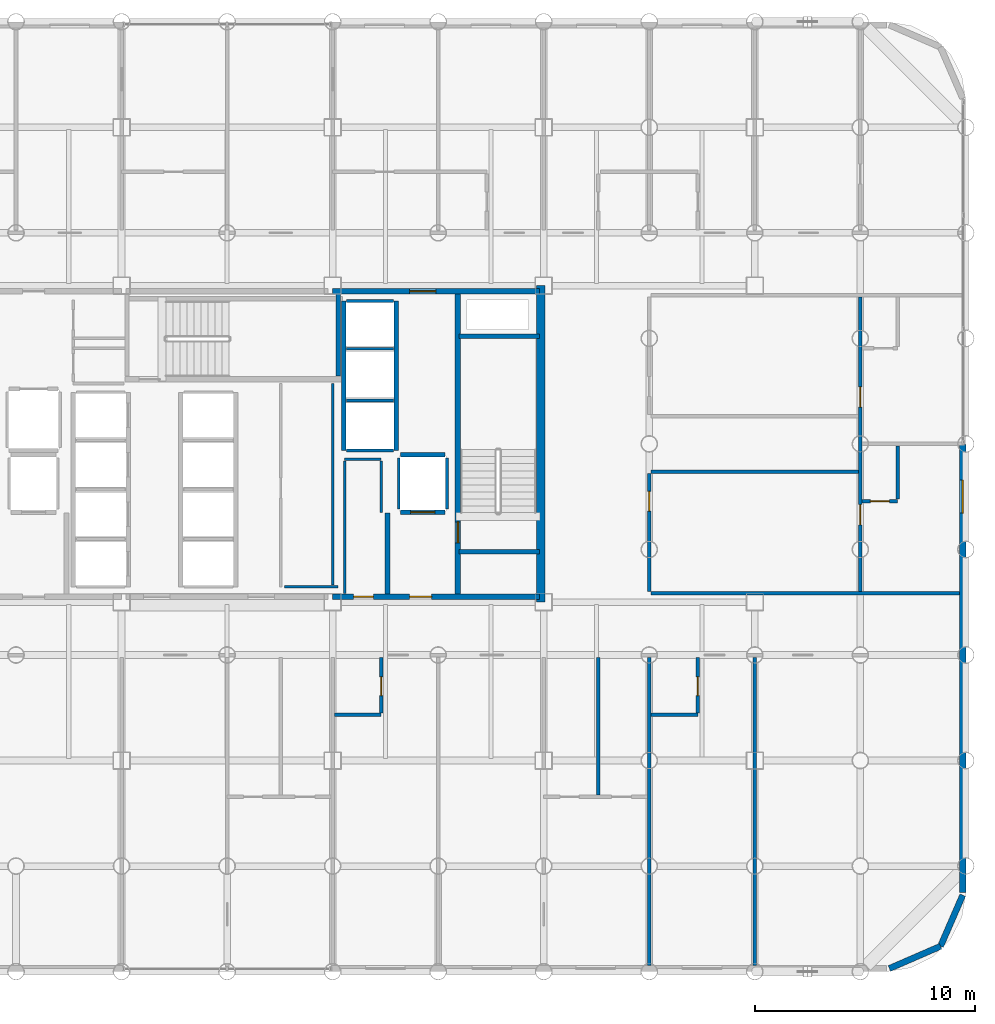
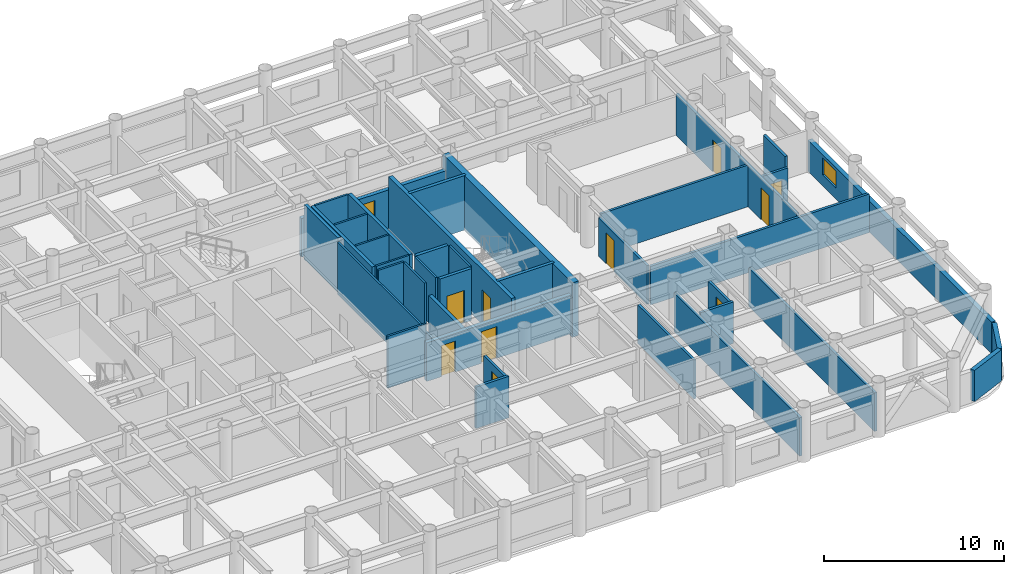
# One storey, part 17 of 20: 39 walls, 11 doors, 1 window, 12 openings.
"""IFC4 building model written with IfcOpenShell, lengths in metres."""

from ifc_helpers import new_model, si_unit, direction, frame, frame_2d, origin, place, context, subcontext, project, spatial, rectangle, extrude, material, layer, layer_set, type_object, element, fill, save


model = new_model("IFC4")

# Units and contexts
model_context = context("Model", 3, precision=1e-05, world=origin(), true_north=direction((0.0, 1.0)))
body_context = subcontext(model_context, "Body", "Model", "MODEL_VIEW")
ifc_project = project(units=[si_unit("LENGTHUNIT", "METRE"), si_unit("AREAUNIT", "SQUARE_METRE"), si_unit("VOLUMEUNIT", "CUBIC_METRE"), si_unit("PLANEANGLEUNIT", "RADIAN"), si_unit("MASSUNIT", "GRAM", prefix="KILO")], contexts=[model_context])

# Site, building, storey
site_placement = place(None, origin())
site = spatial("IfcSite", under=ifc_project, at=site_placement, CompositionType="ELEMENT")
building_placement = place(site_placement, origin())
building = spatial("IfcBuilding", under=site, at=building_placement, Name="Kallvorn Hotel Tower", CompositionType="ELEMENT")
storey_placement = place(building_placement, frame((0.0, 0.0, 70.699951171875)))
storey = spatial("IfcBuildingStorey", under=building, at=storey_placement, Name="L16", CompositionType="ELEMENT", Elevation=70.699951171875)

# Walls
ifc_material_1 = material(Name="Concrete C50/60", Category="concrete")
ifc_layer_1 = layer(ifc_material_1, 0.39990234375)
ifc_layer_set_1 = layer_set([ifc_layer_1], Name="WL_CORE_400")
wall_type_1 = type_object("IfcWallType", Name="WL_CORE_400", PredefinedType="SHEAR", material=ifc_layer_set_1)
wall_1_placement = place(storey_placement, frame((14.264892578125, -7.199951171875, -0.179931640625), z_axis=(0.0, 0.0, 1.0), x_axis=(0.0, 1.0, 0.0)))
element("IfcWall", 1, at=wall_1_placement, inside=storey, type_object=wall_type_1, Name="L16 Core East Shear Wall", PredefinedType="SHEAR", context=body_context, shape_type="SweptSolid", body=[
    extrude(rectangle(XDim=14.39990234375, YDim=0.39990234375, at=frame_2d((7.199951171875, 0.0))), origin(), (0.0, 0.0, 1.0), 3.699951171875),
])
ifc_material_2 = material(Name="Fire-rated double-layer acoustic gypsum drywall EI 60")
ifc_layer_2 = layer(ifc_material_2, 0.159912109375)
ifc_layer_set_2 = layer_set([ifc_layer_2], Name="WL_DEMISE_160")
wall_type_2 = type_object("IfcWallType", Name="WL_DEMISE_160", PredefinedType="PARTITIONING", material=ifc_layer_set_2)
wall_2_placement = place(storey_placement, frame((4.8798828125, -12.320068359375, 0.0), z_axis=(0.0, 0.0, 1.0), x_axis=(1.0, 0.0, 0.0)))
element("IfcWall", 2, at=wall_2_placement, inside=storey, type_object=wall_type_2, Name="L16 Suite 1606 Deluxe King Room Partition", PredefinedType="PARTITIONING", context=body_context, shape_type="SweptSolid", body=[
    extrude(rectangle(XDim=2.130126953125, YDim=0.159912109375, at=frame_2d((1.06494140625, 0.0))), origin(), (0.0, 0.0, 1.0), 2.820068359375),
])
wall_3_placement = place(storey_placement, frame((19.280029296875, -12.320068359375, 0.0), z_axis=(0.0, 0.0, 1.0), x_axis=(1.0, 0.0, 0.0)))
element("IfcWall", 3, at=wall_3_placement, inside=storey, type_object=wall_type_2, Name="L16 Suite 1608 Superior Twin Room Partition", PredefinedType="PARTITIONING", context=body_context, shape_type="SweptSolid", body=[
    extrude(rectangle(XDim=2.1298828125, YDim=0.159912109375, at=frame_2d((1.06494140625, 0.0))), origin(), (0.0, 0.0, 1.0), 2.820068359375),
])
wall_4_placement = place(storey_placement, frame((19.280029296875, -6.800048828125, 0.0), z_axis=(0.0, 0.0, 1.0), x_axis=(1.0, 0.0, 0.0)))
element("IfcWall", 4, at=wall_4_placement, inside=storey, type_object=wall_type_2, Name="L16 Suite 1603 E Loggia King Room Partition", PredefinedType="PARTITIONING", context=body_context, shape_type="SweptSolid", body=[
    extrude(rectangle(XDim=14.030029296875, YDim=0.159912109375, at=frame_2d((7.01513671875, 0.0))), origin(), (0.0, 0.0, 1.0), 2.6201171875),
])

# Wall, opening, door
wall_5_placement = place(storey_placement, frame((28.8798828125, -2.60009765625, 0.0), z_axis=(0.0, 0.0, 1.0), x_axis=(1.0, 0.0, 0.0)))
wall_5 = element("IfcWall", 5, at=wall_5_placement, inside=storey, type_object=wall_type_2, Name="L16 Suite 1603 E Loggia King Room Partition", PredefinedType="PARTITIONING", context=body_context, shape_type="SweptSolid", body=[
    extrude(rectangle(XDim=1.6201171875, YDim=0.159912109375, at=frame_2d((0.81005859375, 0.0))), origin(), (0.0, 0.0, 1.0), 2.820068359375),
])
opening_1_placement = place(wall_5_placement, frame((0.3798828125, 0.0, 0.0)))
opening_1 = element("IfcOpeningElement", 6, at=opening_1_placement, cuts=wall_5, Name="Opening BD-I", PredefinedType="OPENING", context=body_context, shape_type="SweptSolid", body=[
    extrude(rectangle(XDim=0.860107421875, YDim=2.10009765625, at=frame_2d((0.43017578125, 1.050048828125))), frame((0.0, 0.094970703125, 0.0), z_axis=(0.0, -1.0, 0.0), x_axis=(1.0, 0.0, 0.0)), (0.0, 0.0, 1.0), 0.18994140625),
])
ifc_material_3 = material(Name="Solid-core walnut veneer fire-rated timber door leaf", Category="wood")
door_type_1 = type_object("IfcDoorType", Name="DR_BATH_860x2100", OperationType="NOTDEFINED", PredefinedType="DOOR", material=ifc_material_3)
door_1_placement = place(opening_1_placement, origin())
door_1 = element("IfcDoor", 7, at=door_1_placement, inside=storey, type_object=door_type_1, Name="L16 Suite 1603 En-Suite Bathroom Door", OperationType="SINGLE_SWING_LEFT", OverallHeight=2.10009765625, OverallWidth=0.860107421875, PredefinedType="DOOR", context=body_context, shape_type="SweptSolid", body=[
    extrude(rectangle(XDim=0.860107421875, YDim=2.10009765625, at=frame_2d((0.43017578125, 1.050048828125))), frame((0.0, 0.02490234375, 0.0), z_axis=(0.0, -1.0, 0.0), x_axis=(1.0, 0.0, 0.0)), (0.0, 0.0, 1.0), 0.050048828125),
])
fill(opening_1, door_1)

wall_6_placement = place(storey_placement, frame((7.006591796875, -12.235107421875, 0.0), z_axis=(0.0, 0.0, 1.0), x_axis=(0.0, 1.0, 0.0)))
wall_6 = element("IfcWall", 8, at=wall_6_placement, inside=storey, type_object=wall_type_2, Name="L16 Suite 1606 Deluxe King Room Partition", PredefinedType="PARTITIONING", context=body_context, shape_type="SweptSolid", body=[
    extrude(rectangle(XDim=2.51513671875, YDim=0.159912109375, at=frame_2d((1.257568359375, 0.0))), origin(), (0.0, 0.0, 1.0), 2.6201171875),
])
opening_2_placement = place(wall_6_placement, frame((0.784912109375, 0.0, 0.0)))
opening_2 = element("IfcOpeningElement", 9, at=opening_2_placement, cuts=wall_6, Name="Opening BD-I", PredefinedType="OPENING", context=body_context, shape_type="SweptSolid", body=[
    extrude(rectangle(XDim=0.860107421875, YDim=2.10009765625, at=frame_2d((0.43017578125, 1.050048828125))), frame((0.0, 0.094970703125, 0.0), z_axis=(0.0, -1.0, 0.0), x_axis=(1.0, 0.0, 0.0)), (0.0, 0.0, 1.0), 0.18994140625),
])
door_2_placement = place(opening_2_placement, origin())
door_2 = element("IfcDoor", 10, at=door_2_placement, inside=storey, type_object=door_type_1, Name="L16 Suite 1606 En-Suite Bathroom Door", OperationType="SINGLE_SWING_RIGHT", OverallHeight=2.10009765625, OverallWidth=0.860107421875, PredefinedType="DOOR", context=body_context, shape_type="SweptSolid", body=[
    extrude(rectangle(XDim=0.860107421875, YDim=2.10009765625, at=frame_2d((0.43017578125, 1.050048828125))), frame((0.0, 0.02490234375, 0.0), z_axis=(0.0, -1.0, 0.0), x_axis=(1.0, 0.0, 0.0)), (0.0, 0.0, 1.0), 0.050048828125),
])
fill(opening_2, door_2)

# Wall
wall_7_placement = place(storey_placement, frame((19.199951171875, -23.7099609375, 0.0), z_axis=(0.0, 0.0, 1.0), x_axis=(0.0, 1.0, 0.0)))
element("IfcWall", 11, at=wall_7_placement, inside=storey, type_object=wall_type_2, Name="L16 Suite 1607 Executive Bedroom Partition", PredefinedType="PARTITIONING", context=body_context, shape_type="SweptSolid", body=[
    extrude(rectangle(XDim=13.989990234375, YDim=0.159912109375, at=frame_2d((6.9951171875, 0.0))), origin(), (0.0, 0.0, 1.0), 2.6201171875),
])

# Wall, opening, door
wall_8_placement = place(storey_placement, frame((21.409912109375, -12.235107421875, 0.0), z_axis=(0.0, 0.0, 1.0), x_axis=(0.0, 1.0, 0.0)))
wall_8 = element("IfcWall", 12, at=wall_8_placement, inside=storey, type_object=wall_type_2, Name="L16 Suite 1608 Superior Twin Room Partition", PredefinedType="PARTITIONING", context=body_context, shape_type="SweptSolid", body=[
    extrude(rectangle(XDim=2.51513671875, YDim=0.159912109375, at=frame_2d((1.257568359375, 0.0))), origin(), (0.0, 0.0, 1.0), 2.6201171875),
])
opening_3_placement = place(wall_8_placement, frame((0.784912109375, 0.0, 0.0)))
opening_3 = element("IfcOpeningElement", 13, at=opening_3_placement, cuts=wall_8, Name="Opening BD-I", PredefinedType="OPENING", context=body_context, shape_type="SweptSolid", body=[
    extrude(rectangle(XDim=0.860107421875, YDim=2.10009765625, at=frame_2d((0.43017578125, 1.050048828125))), frame((0.0, 0.094970703125, 0.0), z_axis=(0.0, -1.0, 0.0), x_axis=(1.0, 0.0, 0.0)), (0.0, 0.0, 1.0), 0.18994140625),
])
door_3_placement = place(opening_3_placement, origin())
door_3 = element("IfcDoor", 14, at=door_3_placement, inside=storey, type_object=door_type_1, Name="L16 Suite 1608 En-Suite Bathroom Door", OperationType="SINGLE_SWING_LEFT", OverallHeight=2.10009765625, OverallWidth=0.860107421875, PredefinedType="DOOR", context=body_context, shape_type="SweptSolid", body=[
    extrude(rectangle(XDim=0.860107421875, YDim=2.10009765625, at=frame_2d((0.43017578125, 1.050048828125))), frame((0.0, 0.02490234375, 0.0), z_axis=(0.0, -1.0, 0.0), x_axis=(1.0, 0.0, 0.0)), (0.0, 0.0, 1.0), 0.050048828125),
])
fill(opening_3, door_3)

# Wall
wall_9_placement = place(storey_placement, frame((24.0, -23.7099609375, 0.0), z_axis=(0.0, 0.0, 1.0), x_axis=(0.0, 1.0, 0.0)))
element("IfcWall", 15, at=wall_9_placement, inside=storey, type_object=wall_type_2, Name="L16 Suite 1608 Superior Twin Room Partition", PredefinedType="PARTITIONING", context=body_context, shape_type="SweptSolid", body=[
    extrude(rectangle(XDim=13.989990234375, YDim=0.159912109375, at=frame_2d((6.9951171875, 0.0))), origin(), (0.0, 0.0, 1.0), 2.6201171875),
])

# Wall, openings, doors
wall_10_placement = place(storey_placement, frame((28.800048828125, -6.715087890625, 0.0), z_axis=(0.0, 0.0, 1.0), x_axis=(0.0, 1.0, 0.0)))
wall_10 = element("IfcWall", 16, at=wall_10_placement, inside=storey, type_object=wall_type_2, Name="L16 Suite 1603 E Loggia King Room Partition", PredefinedType="PARTITIONING", context=body_context, shape_type="SweptSolid", body=[
    extrude(rectangle(XDim=13.388427734375, YDim=0.159912109375, at=frame_2d((6.6943359375, 0.0))), origin(), (0.0, 0.0, 1.0), 2.820068359375),
])
opening_4_placement = place(wall_10_placement, frame((3.034912109375, 0.0, 0.0)))
opening_4 = element("IfcOpeningElement", 17, at=opening_4_placement, cuts=wall_10, Name="Opening GD1", PredefinedType="OPENING", context=body_context, shape_type="SweptSolid", body=[
    extrude(rectangle(XDim=0.919921875, YDim=2.14990234375, at=frame_2d((0.4599609375, 1.074951171875))), frame((0.0, 0.094970703125, 0.0), z_axis=(0.0, -1.0, 0.0), x_axis=(1.0, 0.0, 0.0)), (0.0, 0.0, 1.0), 0.18994140625),
])
opening_5_placement = place(wall_10_placement, frame((8.385009765625, 0.0, 0.0)))
opening_5 = element("IfcOpeningElement", 18, at=opening_5_placement, cuts=wall_10, Name="Opening GD1", PredefinedType="OPENING", context=body_context, shape_type="SweptSolid", body=[
    extrude(rectangle(XDim=0.919921875, YDim=2.14990234375, at=frame_2d((0.4599609375, 1.074951171875))), frame((0.0, 0.094970703125, 0.0), z_axis=(0.0, -1.0, 0.0), x_axis=(1.0, 0.0, 0.0)), (0.0, 0.0, 1.0), 0.18994140625),
])
ifc_material_4 = material(Name="Solid-core walnut veneer fire-rated timber door leaf", Category="wood")
door_type_2 = type_object("IfcDoorType", Name="DR_GUEST_920x2150", OperationType="NOTDEFINED", PredefinedType="DOOR", material=ifc_material_4)
door_4_placement = place(opening_4_placement, origin())
door_4 = element("IfcDoor", 19, at=door_4_placement, inside=storey, type_object=door_type_2, Name="L16 Suite 1603 E Loggia King Room Door", OperationType="SINGLE_SWING_LEFT", OverallHeight=2.14990234375, OverallWidth=0.919921875, PredefinedType="DOOR", context=body_context, shape_type="SweptSolid", body=[
    extrude(rectangle(XDim=0.919921875, YDim=2.14990234375, at=frame_2d((0.4599609375, 1.074951171875))), frame((0.0, 0.02490234375, 0.0), z_axis=(0.0, -1.0, 0.0), x_axis=(1.0, 0.0, 0.0)), (0.0, 0.0, 1.0), 0.050048828125),
])
fill(opening_4, door_4)
door_5_placement = place(opening_5_placement, origin())
door_5 = element("IfcDoor", 20, at=door_5_placement, inside=storey, type_object=door_type_2, Name="L16 Suite 1604 E Andean Twin Room Door", OperationType="SINGLE_SWING_LEFT", OverallHeight=2.14990234375, OverallWidth=0.919921875, PredefinedType="DOOR", context=body_context, shape_type="SweptSolid", body=[
    extrude(rectangle(XDim=0.919921875, YDim=2.14990234375, at=frame_2d((0.4599609375, 1.074951171875))), frame((0.0, 0.02490234375, 0.0), z_axis=(0.0, -1.0, 0.0), x_axis=(1.0, 0.0, 0.0)), (0.0, 0.0, 1.0), 0.050048828125),
])
fill(opening_5, door_5)

# Walls
wall_11_placement = place(storey_placement, frame((30.5, -2.514892578125, 0.0), z_axis=(0.0, 0.0, 1.0), x_axis=(0.0, 1.0, 0.0)))
element("IfcWall", 21, at=wall_11_placement, inside=storey, type_object=wall_type_2, Name="L16 Suite 1603 E Loggia King Room Partition", PredefinedType="PARTITIONING", context=body_context, shape_type="SweptSolid", body=[
    extrude(rectangle(XDim=2.414794921875, YDim=0.159912109375, at=frame_2d((1.20751953125, 0.0))), origin(), (0.0, 0.0, 1.0), 3.52001953125),
])
ifc_material_5 = material(Name="Precast basalt-clad insulated concrete wall C40/50", Category="masonry")
ifc_layer_3 = layer(ifc_material_5, 0.280029296875)
ifc_layer_set_3 = layer_set([ifc_layer_3], Name="WL_EXT_LOGGIA_280")
wall_type_3 = type_object("IfcWallType", Name="WL_EXT_LOGGIA_280", PredefinedType="SOLIDWALL", material=ifc_layer_set_3)
wall_12_placement = place(storey_placement, frame((30.120849609375, -23.85791015625, 0.0), z_axis=(0.0, 0.0, 1.0), x_axis=(0.917060872934, 0.398747232384, 0.0)))
element("IfcWall", 22, at=wall_12_placement, inside=storey, type_object=wall_type_3, Name="L16 Rounded Corner Exterior Wall SE1", PredefinedType="SOLIDWALL", context=body_context, shape_type="SweptSolid", body=[
    extrude(rectangle(XDim=2.5361328125, YDim=0.280029296875, at=frame_2d((1.26806640625, 0.0))), origin(), (0.0, 0.0, 1.0), 2.1201171875),
])
wall_13_placement = place(storey_placement, frame((32.446533203125, -22.8466796875, 0.0), z_axis=(0.0, 0.0, 1.0), x_axis=(0.398792985289, 0.917040977756, 0.0)))
element("IfcWall", 23, at=wall_13_placement, inside=storey, type_object=wall_type_3, Name="L16 Rounded Corner Exterior Wall SE2", PredefinedType="SOLIDWALL", context=body_context, shape_type="SweptSolid", body=[
    extrude(rectangle(XDim=2.536376953125, YDim=0.280029296875, at=frame_2d((1.26806640625, 0.0))), origin(), (0.0, 0.0, 1.0), 2.1201171875),
])

# Wall, opening, window
wall_14_placement = place(storey_placement, frame((33.4599609375, -20.39990234375, 0.0), z_axis=(0.0, 0.0, 1.0), x_axis=(0.0, 1.0, 0.0)))
wall_14 = element("IfcWall", 24, at=wall_14_placement, inside=storey, type_object=wall_type_3, Name="L16 Exterior Envelope Wall EW-L16-ES", PredefinedType="SOLIDWALL", context=body_context, shape_type="SweptSolid", body=[
    extrude(rectangle(XDim=20.3798828125, YDim=0.280029296875, at=frame_2d((10.18994140625, 0.0))), origin(), (0.0, 0.0, 1.0), 2.1201171875),
])
opening_6_placement = place(wall_14_placement, frame((17.25, 0.0, 0.75)))
opening_6 = element("IfcOpeningElement", 25, at=opening_6_placement, cuts=wall_14, Name="Opening W05A", PredefinedType="OPENING", context=body_context, shape_type="SweptSolid", body=[
    extrude(rectangle(XDim=1.5, YDim=1.14990234375, at=frame_2d((0.75, 0.574951171875))), frame((0.0, 0.155029296875, 0.0), z_axis=(0.0, -1.0, 0.0), x_axis=(1.0, 0.0, 0.0)), (0.0, 0.0, 1.0), 0.31005859375),
])
ifc_material_6 = material(Name="Double-glazed low-e solar-control dark glass", Category="glass")
window_type = type_object("IfcWindowType", Name="WN_HTL_1500x1150", PartitioningType="SINGLE_PANEL", PredefinedType="WINDOW", material=ifc_material_6)
window_placement = place(opening_6_placement, origin())
window = element("IfcWindow", 26, at=window_placement, inside=storey, type_object=window_type, Name="L16 Flank Wing Window 02", OverallHeight=1.14990234375, OverallWidth=1.5, PartitioningType="SINGLE_PANEL", PredefinedType="WINDOW", context=body_context, shape_type="SweptSolid", body=[
    extrude(rectangle(XDim=1.5, YDim=1.14990234375, at=frame_2d((0.75, 0.574951171875))), frame((0.0, 0.030029296875, 0.0), z_axis=(0.0, -1.0, 0.0), x_axis=(1.0, 0.0, 0.0)), (0.0, 0.0, 1.0), 0.06005859375),
])
fill(opening_6, window)

# Walls
ifc_material_7 = material(Name="Concrete C40/50", Category="concrete")
ifc_layer_4 = layer(ifc_material_7, 0.219970703125)
ifc_layer_set_4 = layer_set([ifc_layer_4], Name="WL_FFL_220")
wall_type_4 = type_object("IfcWallType", Name="WL_FFL_220", PredefinedType="SOLIDWALL", material=ifc_layer_set_4)
wall_15_placement = place(storey_placement, frame((7.300048828125, -6.820068359375, 0.0), z_axis=(0.0, 0.0, 1.0), x_axis=(0.0, 1.0, 0.0)))
element("IfcWall", 27, at=wall_15_placement, inside=storey, type_object=wall_type_4, Name="L16 Firefighting Lobby East Divider Wall", PredefinedType="SOLIDWALL", context=body_context, shape_type="SweptSolid", body=[
    extrude(rectangle(XDim=3.670166015625, YDim=0.219970703125, at=frame_2d((1.8349609375, 0.0))), origin(), (0.0, 0.0, 1.0), 2.6201171875),
])
ifc_material_8 = material(Name="Concrete C40/50", Category="concrete")
ifc_layer_5 = layer(ifc_material_8, 0.199951171875)
ifc_layer_set_5 = layer_set([ifc_layer_5], Name="WL_HOIST_200")
wall_type_5 = type_object("IfcWallType", Name="WL_HOIST_200", PredefinedType="SOLIDWALL", material=ifc_layer_set_5)
for number, where, z_axis, x_axis, name in (
    (28, (10.550048828125, -4.89990234375, -0.179931640625), (0.0, 0.0, 1.0), (1.0, 0.0, 0.0), "L16 Stair ST2 South Wall"),
    (29, (10.550048828125, 4.89990234375, -0.179931640625), (0.0, 0.0, 1.0), (1.0, 0.0, 0.0), "L16 Stair ST2 North Wall"),
):
    element("IfcWall", number, at=place(storey_placement, frame(where, z_axis=z_axis, x_axis=x_axis)), inside=storey, type_object=wall_type_5, Name=name, PredefinedType="SOLIDWALL", context=body_context, shape_type="SweptSolid", body=[
        extrude(rectangle(XDim=3.64990234375, YDim=0.199951171875, at=frame_2d((1.824951171875, 0.0))), origin(), (0.0, 0.0, 1.0), 3.699951171875),
    ])
wall_16_placement = place(storey_placement, frame((5.06005859375, 3.080078125, -0.179931640625), z_axis=(0.0, 0.0, 1.0), x_axis=(0.0, 1.0, 0.0)))
element("IfcWall", 30, at=wall_16_placement, inside=storey, type_object=wall_type_5, Name="L16 Stair ST3 East Wall", PredefinedType="SOLIDWALL", context=body_context, shape_type="SweptSolid", body=[
    extrude(rectangle(XDim=3.739990234375, YDim=0.199951171875, at=frame_2d((1.8701171875, 0.0))), origin(), (0.0, 0.0, 1.0), 3.699951171875),
])
for number, where, z_axis, x_axis, name in (
    (31, (7.699951171875, -0.300048828125, 0.0), (0.0, 0.0, 1.0), (0.0, 1.0, 0.0), "L16 Lift Bank OBS Landing Wall"),
    (32, (5.300048828125, -0.300048828125, 0.0), (0.0, 0.0, 1.0), (0.0, 1.0, 0.0), "L16 Lift Bank OBS Rear Shaft Wall"),
):
    element("IfcWall", number, at=place(storey_placement, frame(where, z_axis=z_axis, x_axis=x_axis)), inside=storey, type_object=wall_type_5, Name=name, PredefinedType="SOLIDWALL", context=body_context, shape_type="SweptSolid", body=[
        extrude(rectangle(XDim=6.800048828125, YDim=0.199951171875, at=frame_2d((3.39990234375, 0.0))), origin(), (0.0, 0.0, 1.0), 3.52001953125),
    ])

# Wall, opening, door
wall_17_placement = place(storey_placement, frame((7.8798828125, -3.10009765625, 0.0), z_axis=(0.0, 0.0, 1.0), x_axis=(1.0, 0.0, 0.0)))
wall_17 = element("IfcWall", 33, at=wall_17_placement, inside=storey, type_object=wall_type_5, Name="L16 FL-2 Landing Wall", PredefinedType="SOLIDWALL", context=body_context, shape_type="SweptSolid", body=[
    extrude(rectangle(XDim=2.0400390625, YDim=0.199951171875, at=frame_2d((1.02001953125, 0.0))), origin(), (0.0, 0.0, 1.0), 3.52001953125),
])
opening_7_placement = place(wall_17_placement, frame((0.469970703125, 0.0, 0.0)))
opening_7 = element("IfcOpeningElement", 34, at=opening_7_placement, cuts=wall_17, Name="Opening LD-FL-2", PredefinedType="OPENING", context=body_context, shape_type="SweptSolid", body=[
    extrude(rectangle(XDim=1.10009765625, YDim=2.199951171875, at=frame_2d((0.550048828125, 1.10009765625))), frame((0.0, 0.114990234375, 0.0), z_axis=(0.0, -1.0, 0.0), x_axis=(1.0, 0.0, 0.0)), (0.0, 0.0, 1.0), 0.22998046875),
])
ifc_material_9 = material(Name="Brushed stainless-steel automatic sliding lift landing door", Category="steel")
door_type_3 = type_object("IfcDoorType", Name="LD_PASS_1100x2200", OperationType="SLIDING_TO_LEFT", PredefinedType="DOOR", material=ifc_material_9)
door_6_placement = place(opening_7_placement, origin())
door_6 = element("IfcDoor", 35, at=door_6_placement, inside=storey, type_object=door_type_3, Name="L16 Lift Landing Sliding Door LD-FL-2", OperationType="SLIDING_TO_LEFT", OverallHeight=2.199951171875, OverallWidth=1.10009765625, PredefinedType="DOOR", context=body_context, shape_type="SweptSolid", body=[
    extrude(rectangle(XDim=1.10009765625, YDim=2.199951171875, at=frame_2d((0.550048828125, 1.10009765625))), frame((0.0, 0.02490234375, 0.0), z_axis=(0.0, -1.0, 0.0), x_axis=(1.0, 0.0, 0.0)), (0.0, 0.0, 1.0), 0.050048828125),
])
fill(opening_7, door_6)

# Walls
wall_18_placement = place(storey_placement, frame((7.8798828125, -0.5, 0.0), z_axis=(0.0, 0.0, 1.0), x_axis=(1.0, 0.0, 0.0)))
element("IfcWall", 36, at=wall_18_placement, inside=storey, type_object=wall_type_5, Name="L16 FL-2 Rear Shaft Wall", PredefinedType="SOLIDWALL", context=body_context, shape_type="SweptSolid", body=[
    extrude(rectangle(XDim=2.0400390625, YDim=0.199951171875, at=frame_2d((1.02001953125, 0.0))), origin(), (0.0, 0.0, 1.0), 3.52001953125),
])
ifc_material_10 = material(Name="Fire-rated double-layer acoustic gypsum drywall EI 60")
ifc_layer_6 = layer(ifc_material_10, 0.1201171875)
ifc_layer_set_6 = layer_set([ifc_layer_6], Name="WL_INT_120")
wall_type_6 = type_object("IfcWallType", Name="WL_INT_120", PredefinedType="PARTITIONING", material=ifc_layer_set_6)
for number, where, z_axis, x_axis, name in (
    (37, (5.43994140625, -0.300048828125, 0.0), (0.0, 0.0, 1.0), (1.0, 0.0, 0.0), "L16 Lift Bank OBS South Closure Wall"),
    (38, (5.43994140625, 1.97509765625, 0.0), (0.0, 0.0, 1.0), (1.0, 0.0, 0.0), "L16 OB-01 Hoistway Divider"),
    (39, (5.43994140625, 4.324951171875, 0.0), (0.0, 0.0, 1.0), (1.0, 0.0, 0.0), "L16 OB-02 Hoistway Divider"),
    (40, (5.43994140625, 6.5, 0.0), (0.0, 0.0, 1.0), (1.0, 0.0, 0.0), "L16 OB-03 Hoistway Divider"),
):
    element("IfcWall", number, at=place(storey_placement, frame(where, z_axis=z_axis, x_axis=x_axis)), inside=storey, type_object=wall_type_6, Name=name, PredefinedType="PARTITIONING", context=body_context, shape_type="SweptSolid", body=[
        extrude(rectangle(XDim=2.1201171875, YDim=0.1201171875, at=frame_2d((1.06005859375, 0.0))), origin(), (0.0, 0.0, 1.0), 3.52001953125),
    ])
for number, where, z_axis, x_axis, name in (
    (41, (7.800048828125, -2.9599609375, 0.0), (0.0, 0.0, 1.0), (0.0, 1.0, 0.0), "L16 FL-2 West Shaft Wall"),
    (42, (10.0, -2.9599609375, 0.0), (0.0, 0.0, 1.0), (0.0, 1.0, 0.0), "L16 FL-2 East Shaft Wall"),
):
    element("IfcWall", number, at=place(storey_placement, frame(where, z_axis=z_axis, x_axis=x_axis)), inside=storey, type_object=wall_type_6, Name=name, PredefinedType="PARTITIONING", context=body_context, shape_type="SweptSolid", body=[
        extrude(rectangle(XDim=2.320068359375, YDim=0.1201171875, at=frame_2d((1.16015625, 0.0))), origin(), (0.0, 0.0, 1.0), 3.52001953125),
    ])
wall_19_placement = place(storey_placement, frame((2.60009765625, -6.5, 0.0), z_axis=(0.0, 0.0, 1.0), x_axis=(1.0, 0.0, 0.0)))
element("IfcWall", 43, at=wall_19_placement, inside=storey, type_object=wall_type_6, Name="L16 East Core Consolidated Linen and Supply Store Partition", PredefinedType="PARTITIONING", context=body_context, shape_type="SweptSolid", body=[
    extrude(rectangle(XDim=2.449951171875, YDim=0.1201171875, at=frame_2d((1.22509765625, 0.0))), origin(), (0.0, 0.0, 1.0), 3.52001953125),
])
wall_20_placement = place(storey_placement, frame((5.35009765625, -0.699951171875, 0.0), z_axis=(0.0, 0.0, 1.0), x_axis=(1.0, 0.0, 0.0)))
element("IfcWall", 44, at=wall_20_placement, inside=storey, type_object=wall_type_6, Name="L16 Core Utility and Meter Room Partition", PredefinedType="PARTITIONING", context=body_context, shape_type="SweptSolid", body=[
    extrude(rectangle(XDim=1.64990234375, YDim=0.1201171875, at=frame_2d((0.824951171875, 0.0))), origin(), (0.0, 0.0, 1.0), 3.52001953125),
])
wall_21_placement = place(storey_placement, frame((4.800048828125, -6.4150390625, 0.0), z_axis=(0.0, 0.0, 1.0), x_axis=(0.0, 1.0, 0.0)))
element("IfcWall", 45, at=wall_21_placement, inside=storey, type_object=wall_type_6, Name="L16 East Core Consolidated Linen and Supply Store Partition", PredefinedType="PARTITIONING", context=body_context, shape_type="SweptSolid", body=[
    extrude(rectangle(XDim=9.1650390625, YDim=0.1201171875, at=frame_2d((4.58251953125, 0.0))), origin(), (0.0, 0.0, 1.0), 3.52001953125),
])
wall_22_placement = place(storey_placement, frame((5.35009765625, -6.800048828125, 0.0), z_axis=(0.0, 0.0, 1.0), x_axis=(0.0, 1.0, 0.0)))
element("IfcWall", 46, at=wall_22_placement, inside=storey, type_object=wall_type_6, Name="L16 Core Utility and Meter Room Partition", PredefinedType="PARTITIONING", context=body_context, shape_type="SweptSolid", body=[
    extrude(rectangle(XDim=6.01513671875, YDim=0.1201171875, at=frame_2d((3.007568359375, 0.0))), origin(), (0.0, 0.0, 1.0), 2.6201171875),
])
wall_23_placement = place(storey_placement, frame((7.006591796875, -3.110107421875, 0.0), z_axis=(0.0, 0.0, 1.0), x_axis=(0.0, 1.0, 0.0)))
element("IfcWall", 47, at=wall_23_placement, inside=storey, type_object=wall_type_6, Name="L16 Core Utility and Meter Room Partition", PredefinedType="PARTITIONING", context=body_context, shape_type="SweptSolid", body=[
    extrude(rectangle(XDim=2.3251953125, YDim=0.1201171875, at=frame_2d((1.16259765625, 0.0))), origin(), (0.0, 0.0, 1.0), 3.52001953125),
])
ifc_material_11 = material(Name="Fire-rated double-layer acoustic gypsum drywall EI 60")
ifc_layer_7 = layer(ifc_material_11, 0.14990234375)
ifc_layer_set_7 = layer_set([ifc_layer_7], Name="WL_PART_150")
wall_type_7 = type_object("IfcWallType", Name="WL_PART_150", PredefinedType="PARTITIONING", material=ifc_layer_set_7)
wall_24_placement = place(storey_placement, frame((19.280029296875, -1.260009765625, 0.0), z_axis=(0.0, 0.0, 1.0), x_axis=(1.0, 0.0, 0.0)))
element("IfcWall", 48, at=wall_24_placement, inside=storey, type_object=wall_type_7, Name="L16 L16 East Inner Club Bar Partition", PredefinedType="PARTITIONING", context=body_context, shape_type="SweptSolid", body=[
    extrude(rectangle(XDim=9.43994140625, YDim=0.14990234375, at=frame_2d((4.719970703125, 0.0))), origin(), (0.0, 0.0, 1.0), 2.820068359375),
])
wall_25_placement = place(storey_placement, frame((16.875, -15.965087890625, 0.0), z_axis=(0.0, 0.0, 1.0), x_axis=(0.0, 1.0, 0.0)))
element("IfcWall", 49, at=wall_25_placement, inside=storey, type_object=wall_type_7, Name="L16 Suite 1607 Walk-In Dressing Closet Partition", PredefinedType="PARTITIONING", context=body_context, shape_type="SweptSolid", body=[
    extrude(rectangle(XDim=6.2451171875, YDim=0.14990234375, at=frame_2d((3.12255859375, 0.0))), origin(), (0.0, 0.0, 1.0), 2.6201171875),
])

# Wall, opening, door
wall_26_placement = place(storey_placement, frame((19.199951171875, -6.715087890625, 0.0), z_axis=(0.0, 0.0, 1.0), x_axis=(0.0, 1.0, 0.0)))
wall_26 = element("IfcWall", 50, at=wall_26_placement, inside=storey, type_object=wall_type_7, Name="L16 L16 East Inner Club Bar Partition", PredefinedType="PARTITIONING", context=body_context, shape_type="SweptSolid", body=[
    extrude(rectangle(XDim=5.3701171875, YDim=0.14990234375, at=frame_2d((2.68505859375, 0.0))), origin(), (0.0, 0.0, 1.0), 2.6201171875),
])
opening_8_placement = place(wall_26_placement, frame((3.66015625, 0.0, 0.0)))
opening_8 = element("IfcOpeningElement", 51, at=opening_8_placement, cuts=wall_26, Name="Opening SVD1", PredefinedType="OPENING", context=body_context, shape_type="SweptSolid", body=[
    extrude(rectangle(XDim=0.89990234375, YDim=2.10009765625, at=frame_2d((0.449951171875, 1.050048828125))), frame((0.0, 0.08984375, 0.0), z_axis=(0.0, -1.0, 0.0), x_axis=(1.0, 0.0, 0.0)), (0.0, 0.0, 1.0), 0.179931640625),
])
ifc_material_12 = material(Name="Galvanised painted steel fire-rated door assembly", Category="steel")
door_type_4 = type_object("IfcDoorType", Name="DR_SERV_900x2100", OperationType="NOTDEFINED", PredefinedType="DOOR", material=ifc_material_12)
door_7_placement = place(opening_8_placement, origin())
door_7 = element("IfcDoor", 52, at=door_7_placement, inside=storey, type_object=door_type_4, Name="L16 L16 East Inner Club Bar Door", OperationType="SINGLE_SWING_RIGHT", OverallHeight=2.10009765625, OverallWidth=0.89990234375, PredefinedType="DOOR", context=body_context, shape_type="SweptSolid", body=[
    extrude(rectangle(XDim=0.89990234375, YDim=2.10009765625, at=frame_2d((0.449951171875, 1.050048828125))), frame((0.0, 0.02490234375, 0.0), z_axis=(0.0, -1.0, 0.0), x_axis=(1.0, 0.0, 0.0)), (0.0, 0.0, 1.0), 0.050048828125),
])
fill(opening_8, door_7)

# Wall, openings, doors
ifc_material_13 = material(Name="Concrete C40/50", Category="concrete")
ifc_layer_8 = layer(ifc_material_13, 0.25)
ifc_layer_set_8 = layer_set([ifc_layer_8], Name="WL_SHAFT_250")
wall_type_8 = type_object("IfcWallType", Name="WL_SHAFT_250", PredefinedType="SOLIDWALL", material=ifc_layer_set_8)
wall_27_placement = place(storey_placement, frame((4.800048828125, -6.949951171875, 0.0), z_axis=(0.0, 0.0, 1.0), x_axis=(1.0, 0.0, 0.0)))
wall_27 = element("IfcWall", 53, at=wall_27_placement, inside=storey, type_object=wall_type_8, Name="L16 Core South-East Wall", PredefinedType="SOLIDWALL", context=body_context, shape_type="SweptSolid", body=[
    extrude(rectangle(XDim=9.39990234375, YDim=0.25, at=frame_2d((4.699951171875, 0.0))), origin(), (0.0, 0.0, 1.0), 2.6201171875),
])
opening_9_placement = place(wall_27_placement, frame((3.5, 0.0, 0.0)))
opening_9 = element("IfcOpeningElement", 54, at=opening_9_placement, cuts=wall_27, Name="Opening FD1", PredefinedType="OPENING", context=body_context, shape_type="SweptSolid", body=[
    extrude(rectangle(XDim=1.0, YDim=2.14990234375, at=frame_2d((0.5, 1.074951171875))), frame((0.0, 0.139892578125, 0.0), z_axis=(0.0, -1.0, 0.0), x_axis=(1.0, 0.0, 0.0)), (0.0, 0.0, 1.0), 0.280029296875),
])
opening_10_placement = place(wall_27_placement, frame((0.949951171875, 0.0, 0.0)))
opening_10 = element("IfcOpeningElement", 55, at=opening_10_placement, cuts=wall_27, Name="Opening SVD1", PredefinedType="OPENING", context=body_context, shape_type="SweptSolid", body=[
    extrude(rectangle(XDim=0.89990234375, YDim=2.10009765625, at=frame_2d((0.449951171875, 1.050048828125))), frame((0.0, 0.139892578125, 0.0), z_axis=(0.0, -1.0, 0.0), x_axis=(1.0, 0.0, 0.0)), (0.0, 0.0, 1.0), 0.280029296875),
])
ifc_material_14 = material(Name="Galvanised painted steel fire-rated door assembly", Category="steel")
door_type_5 = type_object("IfcDoorType", Name="DR_FFL_1000x2150", OperationType="NOTDEFINED", PredefinedType="DOOR", material=ifc_material_14)
door_8_placement = place(opening_9_placement, origin())
door_8 = element("IfcDoor", 56, at=door_8_placement, inside=storey, type_object=door_type_5, Name="L16 Firefighting Lobby East Door", OperationType="SINGLE_SWING_RIGHT", OverallHeight=2.14990234375, OverallWidth=1.0, PredefinedType="DOOR", context=body_context, shape_type="SweptSolid", body=[
    extrude(rectangle(XDim=1.0, YDim=2.14990234375, at=frame_2d((0.5, 1.074951171875))), frame((0.0, 0.02490234375, 0.0), z_axis=(0.0, -1.0, 0.0), x_axis=(1.0, 0.0, 0.0)), (0.0, 0.0, 1.0), 0.050048828125),
])
fill(opening_9, door_8)
door_9_placement = place(opening_10_placement, origin())
door_9 = element("IfcDoor", 57, at=door_9_placement, inside=storey, type_object=door_type_4, Name="L16 Core Utility and Meter Room Door", OperationType="SINGLE_SWING_LEFT", OverallHeight=2.10009765625, OverallWidth=0.89990234375, PredefinedType="DOOR", context=body_context, shape_type="SweptSolid", body=[
    extrude(rectangle(XDim=0.89990234375, YDim=2.10009765625, at=frame_2d((0.449951171875, 1.050048828125))), frame((0.0, 0.02490234375, 0.0), z_axis=(0.0, -1.0, 0.0), x_axis=(1.0, 0.0, 0.0)), (0.0, 0.0, 1.0), 0.050048828125),
])
fill(opening_10, door_9)

# Wall, opening, door
wall_28_placement = place(storey_placement, frame((4.800048828125, 6.949951171875, 0.0), z_axis=(0.0, 0.0, 1.0), x_axis=(1.0, 0.0, 0.0)))
wall_28 = element("IfcWall", 58, at=wall_28_placement, inside=storey, type_object=wall_type_8, Name="L16 Core North-East Wall", PredefinedType="SOLIDWALL", context=body_context, shape_type="SweptSolid", body=[
    extrude(rectangle(XDim=9.39990234375, YDim=0.25, at=frame_2d((4.699951171875, 0.0))), origin(), (0.0, 0.0, 1.0), 2.6201171875),
])
opening_11_placement = place(wall_28_placement, frame((3.5, 0.0, 0.0)))
opening_11 = element("IfcOpeningElement", 59, at=opening_11_placement, cuts=wall_28, Name="Opening FD2", PredefinedType="OPENING", context=body_context, shape_type="SweptSolid", body=[
    extrude(rectangle(XDim=1.199951171875, YDim=2.199951171875, at=frame_2d((0.60009765625, 1.10009765625))), frame((0.0, 0.139892578125, 0.0), z_axis=(0.0, -1.0, 0.0), x_axis=(1.0, 0.0, 0.0)), (0.0, 0.0, 1.0), 0.280029296875),
])
ifc_material_15 = material(Name="Galvanised painted steel fire-rated door assembly", Category="steel")
door_type_6 = type_object("IfcDoorType", Name="DR_LOBBY_1200x2200", OperationType="DOUBLE_DOOR_SINGLE_SWING", PredefinedType="DOOR", material=ifc_material_15)
door_10_placement = place(opening_11_placement, origin())
door_10 = element("IfcDoor", 60, at=door_10_placement, inside=storey, type_object=door_type_6, Name="L16 Observatory Shuttle Lobby Door", OperationType="DOUBLE_DOOR_SINGLE_SWING", OverallHeight=2.199951171875, OverallWidth=1.199951171875, PredefinedType="DOOR", context=body_context, shape_type="SweptSolid", body=[
    extrude(rectangle(XDim=1.199951171875, YDim=2.199951171875, at=frame_2d((0.60009765625, 1.10009765625))), frame((0.0, 0.02490234375, 0.0), z_axis=(0.0, -1.0, 0.0), x_axis=(1.0, 0.0, 0.0)), (0.0, 0.0, 1.0), 0.050048828125),
])
fill(opening_11, door_10)

wall_29_placement = place(storey_placement, frame((10.5, -6.820068359375, -0.179931640625), z_axis=(0.0, 0.0, 1.0), x_axis=(0.0, 1.0, 0.0)))
wall_29 = element("IfcWall", 61, at=wall_29_placement, inside=storey, type_object=wall_type_8, Name="L16 Stair ST2 Shaft Wall", PredefinedType="SOLIDWALL", context=body_context, shape_type="SweptSolid", body=[
    extrude(rectangle(XDim=13.64013671875, YDim=0.25, at=frame_2d((6.820068359375, 0.0))), origin(), (0.0, 0.0, 1.0), 3.699951171875),
])
opening_12_placement = place(wall_29_placement, frame((2.320068359375, 0.0, 0.179931640625)))
opening_12 = element("IfcOpeningElement", 62, at=opening_12_placement, cuts=wall_29, Name="Opening SD1", PredefinedType="OPENING", context=body_context, shape_type="SweptSolid", body=[
    extrude(rectangle(XDim=0.949951171875, YDim=2.14990234375, at=frame_2d((0.47509765625, 1.074951171875))), frame((0.0, 0.139892578125, 0.0), z_axis=(0.0, -1.0, 0.0), x_axis=(1.0, 0.0, 0.0)), (0.0, 0.0, 1.0), 0.280029296875),
])
ifc_material_16 = material(Name="Galvanised painted steel fire-rated door assembly", Category="steel")
door_type_7 = type_object("IfcDoorType", Name="DR_STAIR_950x2150", OperationType="NOTDEFINED", PredefinedType="DOOR", material=ifc_material_16)
door_11_placement = place(opening_12_placement, origin())
door_11 = element("IfcDoor", 63, at=door_11_placement, inside=storey, type_object=door_type_7, Name="L16 Exit Stair ST2 Fire Door", OperationType="SINGLE_SWING_LEFT", OverallHeight=2.14990234375, OverallWidth=0.949951171875, PredefinedType="DOOR", context=body_context, shape_type="SweptSolid", body=[
    extrude(rectangle(XDim=0.949951171875, YDim=2.14990234375, at=frame_2d((0.47509765625, 1.074951171875))), frame((0.0, 0.02490234375, 0.0), z_axis=(0.0, -1.0, 0.0), x_axis=(1.0, 0.0, 0.0)), (0.0, 0.0, 1.0), 0.050048828125),
])
fill(opening_12, door_11)

save(model, "model.ifc")
